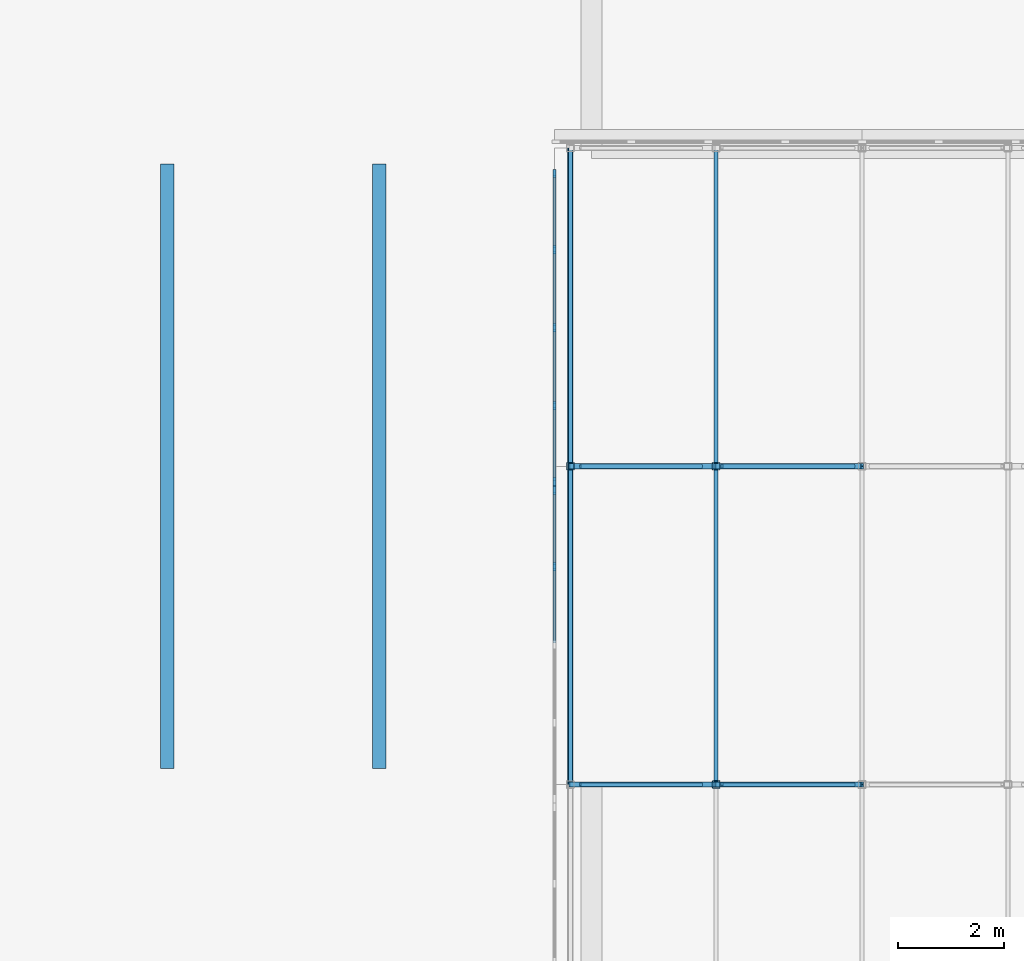
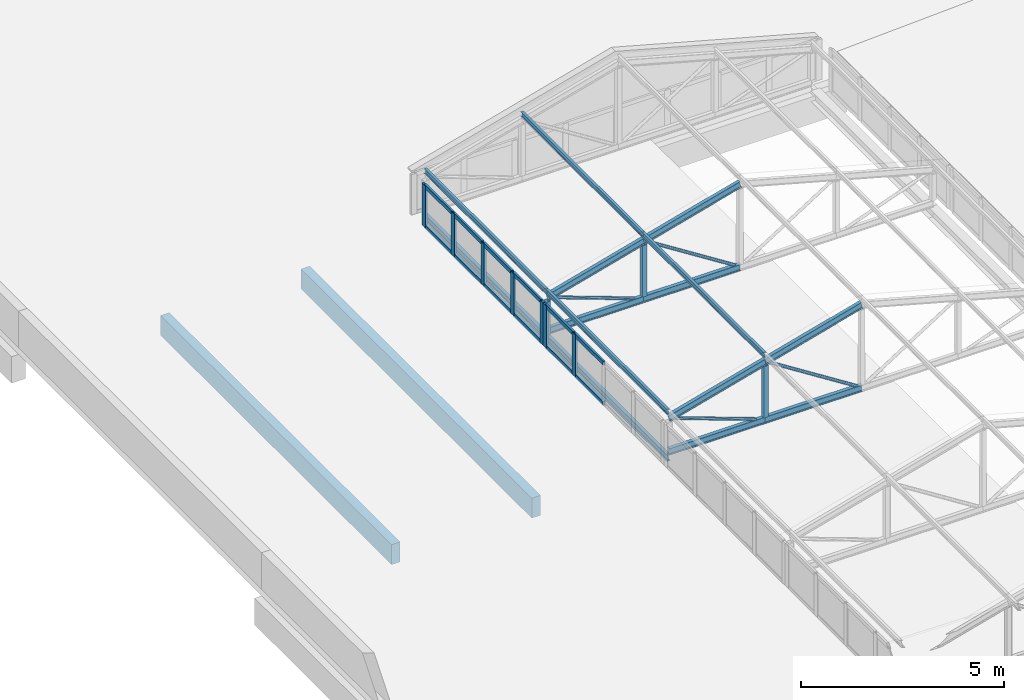
# One storey, part 57 of 94: 38 members, 3 beams, 2 elements without a shape of their own.
"""IFC4 building model written with IfcOpenShell, lengths in metres."""

from ifc_helpers import new_model, si_unit, direction, frame, origin, origin_2d, place, context, subcontext, project, spatial, rectangle, hollow_rectangle, hollow_circle, i_section, extrude, material, layer, layer_set, material_profile, profile_set, type_object, element, aggregate, save


model = new_model("IFC4")

# Units and contexts
model_context = context("Model", 3, precision=1e-05, world=origin(), true_north=direction((0.0, 1.0)))
body_context = subcontext(model_context, "Body", "Model", "MODEL_VIEW")
ifc_project = project(units=[si_unit("LENGTHUNIT", "METRE"), si_unit("AREAUNIT", "SQUARE_METRE"), si_unit("VOLUMEUNIT", "CUBIC_METRE"), si_unit("PLANEANGLEUNIT", "RADIAN"), si_unit("MASSUNIT", "GRAM", prefix="KILO")], contexts=[model_context])

# Site, building, storey
site_placement = place(None, origin())
site = spatial("IfcSite", under=ifc_project, at=site_placement, CompositionType="ELEMENT")
building_placement = place(site_placement, origin())
building = spatial("IfcBuilding", under=site, at=building_placement, Name="Lilac Gate Convention Centre", CompositionType="ELEMENT")
storey_placement = place(building_placement, frame((0.0, 0.0, 21.0)))
storey = spatial("IfcBuildingStorey", under=building, at=storey_placement, Name="L04", CompositionType="ELEMENT", Elevation=21.0)

# Curtain wall, members
ifc_material_1 = material(Name="Aluminium framed double glazing", Category="aluminium")
ifc_layer = layer(ifc_material_1, 0.199951171875)
ifc_layer_set = layer_set([ifc_layer], Name="Aluminium framed double glazing")
curtain_wall_type = type_object("IfcCurtainWallType", Name="Unitised curtain wall 1500", PredefinedType="NOTDEFINED", material=ifc_layer_set)
curtain_wall_1_placement = place(storey_placement, origin())
curtain_wall_1 = element("IfcCurtainWall", 1, at=curtain_wall_1_placement, inside=storey, type_object=curtain_wall_type, Name="Lantern clerestory W 31", PredefinedType="NOTDEFINED")
ifc_material_2 = material(Name="Aluminium alloy 6063", Category="aluminium")
ifc_material_profile_1 = material_profile(ifc_material_2, rectangle(XDim=0.06005859375, YDim=0.159912109375, at=origin_2d()), Name="Curtain wall mullion 60 x 160")
ifc_profile_set_1 = profile_set([ifc_material_profile_1], Name="Aluminium alloy 6063")
member_type_1 = type_object("IfcMemberType", Name="Curtain wall mullion 60 x 160", PredefinedType="MULLION", material=ifc_profile_set_1)
member_1_placement = place(storey_placement, frame((17.300048828125, 214.106201171875, 0.0), z_axis=(0.0, 0.0, 1.0), x_axis=(-1.0, 0.0, 0.0)))
member_1 = element("IfcMember", 2, at=member_1_placement, type_object=member_type_1, Name="CW mullion 4", PredefinedType="MULLION", context=body_context, shape_type="SweptSolid", body=[
    extrude(rectangle(XDim=0.06005859375, YDim=0.159912109375, at=origin_2d()), origin(), (0.0, 0.0, 1.0), 1.272216796875),
])
member_2_placement = place(storey_placement, frame((17.300048828125, 215.544921875, 0.0), z_axis=(0.0, 0.0, 1.0), x_axis=(-1.0, 0.0, 0.0)))
member_2 = element("IfcMember", 3, at=member_2_placement, type_object=member_type_1, Name="CW mullion 5", PredefinedType="MULLION", context=body_context, shape_type="SweptSolid", body=[
    extrude(rectangle(XDim=0.06005859375, YDim=0.159912109375, at=origin_2d()), origin(), (0.0, 0.0, 1.0), 1.272216796875),
])

curtain_wall_2_placement = place(storey_placement, origin())
curtain_wall_2 = element("IfcCurtainWall", 4, at=curtain_wall_2_placement, inside=storey, type_object=curtain_wall_type, Name="Lantern clerestory W 32", PredefinedType="NOTDEFINED")
member_3_placement = place(storey_placement, frame((17.300048828125, 215.705078125, 0.0), z_axis=(0.0, 0.0, 1.0), x_axis=(-1.0, 0.0, 0.0)))
member_3 = element("IfcMember", 5, at=member_3_placement, type_object=member_type_1, Name="CW mullion 1", PredefinedType="MULLION", context=body_context, shape_type="SweptSolid", body=[
    extrude(rectangle(XDim=0.06005859375, YDim=0.159912109375, at=origin_2d()), origin(), (0.0, 0.0, 1.0), 1.272216796875),
])
member_4_placement = place(storey_placement, frame((17.300048828125, 217.143798828125, 0.0), z_axis=(0.0, 0.0, 1.0), x_axis=(-1.0, 0.0, 0.0)))
member_4 = element("IfcMember", 6, at=member_4_placement, type_object=member_type_1, Name="CW mullion 2", PredefinedType="MULLION", context=body_context, shape_type="SweptSolid", body=[
    extrude(rectangle(XDim=0.06005859375, YDim=0.159912109375, at=origin_2d()), origin(), (0.0, 0.0, 1.0), 1.272216796875),
])
member_5_placement = place(storey_placement, frame((17.300048828125, 218.612548828125, 0.0), z_axis=(0.0, 0.0, 1.0), x_axis=(-1.0, 0.0, 0.0)))
member_5 = element("IfcMember", 7, at=member_5_placement, type_object=member_type_1, Name="CW mullion 3", PredefinedType="MULLION", context=body_context, shape_type="SweptSolid", body=[
    extrude(rectangle(XDim=0.06005859375, YDim=0.159912109375, at=origin_2d()), origin(), (0.0, 0.0, 1.0), 1.272216796875),
])
member_6_placement = place(storey_placement, frame((17.300048828125, 220.081298828125, 0.0), z_axis=(0.0, 0.0, 1.0), x_axis=(-1.0, 0.0, 0.0)))
member_6 = element("IfcMember", 8, at=member_6_placement, type_object=member_type_1, Name="CW mullion 4", PredefinedType="MULLION", context=body_context, shape_type="SweptSolid", body=[
    extrude(rectangle(XDim=0.06005859375, YDim=0.159912109375, at=origin_2d()), origin(), (0.0, 0.0, 1.0), 1.272216796875),
])
member_7_placement = place(storey_placement, frame((17.300048828125, 221.52001953125, 0.0), z_axis=(0.0, 0.0, 1.0), x_axis=(-1.0, 0.0, 0.0)))
member_7 = element("IfcMember", 9, at=member_7_placement, type_object=member_type_1, Name="CW mullion 5", PredefinedType="MULLION", context=body_context, shape_type="SweptSolid", body=[
    extrude(rectangle(XDim=0.06005859375, YDim=0.159912109375, at=origin_2d()), origin(), (0.0, 0.0, 1.0), 1.272216796875),
])

# Member
ifc_material_profile_2 = material_profile(ifc_material_2, rectangle(XDim=0.06005859375, YDim=0.1201171875, at=origin_2d()), Name="Curtain wall transom 60 x 120")
ifc_profile_set_2 = profile_set([ifc_material_profile_2], Name="Aluminium alloy 6063")
member_type_2 = type_object("IfcMemberType", Name="Curtain wall transom 60 x 120", PredefinedType="USERDEFINED", material=ifc_profile_set_2)
member_8_placement = place(storey_placement, frame((17.300048828125, 212.66748046875, 0.030029296875), z_axis=(0.0, 1.0, 0.0), x_axis=(-1.0, 0.0, 0.0)))
member_8 = element("IfcMember", 10, at=member_8_placement, type_object=member_type_2, Name="CW transom 3.1", ObjectType="TRANSOM", PredefinedType="USERDEFINED", context=body_context, shape_type="SweptSolid", body=[
    extrude(rectangle(XDim=0.06005859375, YDim=0.1201171875, at=origin_2d()), origin(), (0.0, 0.0, 1.0), 1.40869140625),
])

member_9_placement = place(storey_placement, frame((17.300048828125, 212.66748046875, 1.2421875), z_axis=(0.0, 1.0, 0.0), x_axis=(-1.0, 0.0, 0.0)))
member_9 = element("IfcMember", 11, at=member_9_placement, type_object=member_type_2, Name="CW transom 3.2", ObjectType="TRANSOM", PredefinedType="USERDEFINED", context=body_context, shape_type="SweptSolid", body=[
    extrude(rectangle(XDim=0.06005859375, YDim=0.1201171875, at=origin_2d()), origin(), (0.0, 0.0, 1.0), 1.40869140625),
])

member_10_placement = place(storey_placement, frame((17.300048828125, 214.13623046875, 0.030029296875), z_axis=(0.0, 1.0, 0.0), x_axis=(-1.0, 0.0, 0.0)))
member_10 = element("IfcMember", 12, at=member_10_placement, type_object=member_type_2, Name="CW transom 4.1", ObjectType="TRANSOM", PredefinedType="USERDEFINED", context=body_context, shape_type="SweptSolid", body=[
    extrude(rectangle(XDim=0.06005859375, YDim=0.1201171875, at=origin_2d()), origin(), (0.0, 0.0, 1.0), 1.378662109375),
])

member_11_placement = place(storey_placement, frame((17.300048828125, 214.13623046875, 1.2421875), z_axis=(0.0, 1.0, 0.0), x_axis=(-1.0, 0.0, 0.0)))
member_11 = element("IfcMember", 13, at=member_11_placement, type_object=member_type_2, Name="CW transom 4.2", ObjectType="TRANSOM", PredefinedType="USERDEFINED", context=body_context, shape_type="SweptSolid", body=[
    extrude(rectangle(XDim=0.06005859375, YDim=0.1201171875, at=origin_2d()), origin(), (0.0, 0.0, 1.0), 1.378662109375),
])

aggregate(curtain_wall_1, [member_1, member_2, member_8, member_9, member_10, member_11])

member_12_placement = place(storey_placement, frame((17.300048828125, 215.735107421875, 0.030029296875), z_axis=(0.0, 1.0, 0.0), x_axis=(-1.0, 0.0, 0.0)))
member_12 = element("IfcMember", 14, at=member_12_placement, type_object=member_type_2, Name="CW transom 1.1", ObjectType="TRANSOM", PredefinedType="USERDEFINED", context=body_context, shape_type="SweptSolid", body=[
    extrude(rectangle(XDim=0.06005859375, YDim=0.1201171875, at=origin_2d()), origin(), (0.0, 0.0, 1.0), 1.378662109375),
])

member_13_placement = place(storey_placement, frame((17.300048828125, 215.735107421875, 1.2421875), z_axis=(0.0, 1.0, 0.0), x_axis=(-1.0, 0.0, 0.0)))
member_13 = element("IfcMember", 15, at=member_13_placement, type_object=member_type_2, Name="CW transom 1.2", ObjectType="TRANSOM", PredefinedType="USERDEFINED", context=body_context, shape_type="SweptSolid", body=[
    extrude(rectangle(XDim=0.06005859375, YDim=0.1201171875, at=origin_2d()), origin(), (0.0, 0.0, 1.0), 1.378662109375),
])

member_14_placement = place(storey_placement, frame((17.300048828125, 217.173828125, 0.030029296875), z_axis=(0.0, 1.0, 0.0), x_axis=(-1.0, 0.0, 0.0)))
member_14 = element("IfcMember", 16, at=member_14_placement, type_object=member_type_2, Name="CW transom 2.1", ObjectType="TRANSOM", PredefinedType="USERDEFINED", context=body_context, shape_type="SweptSolid", body=[
    extrude(rectangle(XDim=0.06005859375, YDim=0.1201171875, at=origin_2d()), origin(), (0.0, 0.0, 1.0), 1.40869140625),
])

member_15_placement = place(storey_placement, frame((17.300048828125, 217.173828125, 1.2421875), z_axis=(0.0, 1.0, 0.0), x_axis=(-1.0, 0.0, 0.0)))
member_15 = element("IfcMember", 17, at=member_15_placement, type_object=member_type_2, Name="CW transom 2.2", ObjectType="TRANSOM", PredefinedType="USERDEFINED", context=body_context, shape_type="SweptSolid", body=[
    extrude(rectangle(XDim=0.06005859375, YDim=0.1201171875, at=origin_2d()), origin(), (0.0, 0.0, 1.0), 1.40869140625),
])

member_16_placement = place(storey_placement, frame((17.300048828125, 218.642578125, 0.030029296875), z_axis=(0.0, 1.0, 0.0), x_axis=(-1.0, 0.0, 0.0)))
member_16 = element("IfcMember", 18, at=member_16_placement, type_object=member_type_2, Name="CW transom 3.1", ObjectType="TRANSOM", PredefinedType="USERDEFINED", context=body_context, shape_type="SweptSolid", body=[
    extrude(rectangle(XDim=0.06005859375, YDim=0.1201171875, at=origin_2d()), origin(), (0.0, 0.0, 1.0), 1.40869140625),
])

member_17_placement = place(storey_placement, frame((17.300048828125, 218.642578125, 1.2421875), z_axis=(0.0, 1.0, 0.0), x_axis=(-1.0, 0.0, 0.0)))
member_17 = element("IfcMember", 19, at=member_17_placement, type_object=member_type_2, Name="CW transom 3.2", ObjectType="TRANSOM", PredefinedType="USERDEFINED", context=body_context, shape_type="SweptSolid", body=[
    extrude(rectangle(XDim=0.06005859375, YDim=0.1201171875, at=origin_2d()), origin(), (0.0, 0.0, 1.0), 1.40869140625),
])

member_18_placement = place(storey_placement, frame((17.300048828125, 220.111328125, 0.030029296875), z_axis=(0.0, 1.0, 0.0), x_axis=(-1.0, 0.0, 0.0)))
member_18 = element("IfcMember", 20, at=member_18_placement, type_object=member_type_2, Name="CW transom 4.1", ObjectType="TRANSOM", PredefinedType="USERDEFINED", context=body_context, shape_type="SweptSolid", body=[
    extrude(rectangle(XDim=0.06005859375, YDim=0.1201171875, at=origin_2d()), origin(), (0.0, 0.0, 1.0), 1.378662109375),
])

member_19_placement = place(storey_placement, frame((17.300048828125, 220.111328125, 1.2421875), z_axis=(0.0, 1.0, 0.0), x_axis=(-1.0, 0.0, 0.0)))
member_19 = element("IfcMember", 21, at=member_19_placement, type_object=member_type_2, Name="CW transom 4.2", ObjectType="TRANSOM", PredefinedType="USERDEFINED", context=body_context, shape_type="SweptSolid", body=[
    extrude(rectangle(XDim=0.06005859375, YDim=0.1201171875, at=origin_2d()), origin(), (0.0, 0.0, 1.0), 1.378662109375),
])

aggregate(curtain_wall_2, [member_3, member_4, member_5, member_6, member_7, member_12, member_13, member_14, member_15, member_16, member_17, member_18, member_19])

# Members
ifc_material_3 = material(Name="Steel Q355B", Category="steel")
ifc_material_profile_3 = material_profile(ifc_material_3, i_section(OverallWidth=0.10009765625, OverallDepth=0.199951171875, WebThickness=0.005615234375, FlangeThickness=0.008056640625, FilletRadius=0.008056640625, at=origin_2d()), Name="HN200x100x5.5x8")
ifc_profile_set_3 = profile_set([ifc_material_profile_3], Name="Steel Q355B")
member_type_3 = type_object("IfcMemberType", Name="Lantern bottom chord HN200x100x5.5x8", PredefinedType="CHORD", material=ifc_profile_set_3)
for number, where, z_axis, x_axis, name in (
    (22, (17.60009765625, 210.0, 0.10009765625), (1.0, 0.0, 0.0), (0.0, 1.0, 0.0), "LB1 lantern truss 31 bottom chord 1"),
    (23, (20.35009765625, 210.0, 0.10009765625), (1.0, 0.0, 0.0), (0.0, 1.0, 0.0), "LB1 lantern truss 31 bottom chord 2"),
    (24, (17.60009765625, 216.0, 0.10009765625), (1.0, 0.0, 0.0), (0.0, 1.0, 0.0), "LB1 lantern truss 32 bottom chord 1"),
    (25, (20.35009765625, 216.0, 0.10009765625), (1.0, 0.0, 0.0), (0.0, 1.0, 0.0), "LB1 lantern truss 32 bottom chord 2"),
):
    element("IfcMember", number, at=place(storey_placement, frame(where, z_axis=z_axis, x_axis=x_axis)), inside=storey, type_object=member_type_3, Name=name, PredefinedType="CHORD", context=body_context, shape_type="SweptSolid", body=[
        extrude(i_section(OverallWidth=0.10009765625, OverallDepth=0.199951171875, WebThickness=0.005615234375, FlangeThickness=0.008056640625, FilletRadius=0.008056640625, at=origin_2d()), origin(), (0.0, 0.0, 1.0), 2.75),
    ])
ifc_material_profile_4 = material_profile(ifc_material_3, hollow_circle(Radius=0.04443359375, WallThickness=0.0048828125, at=origin_2d()), Name="CHS88.9x5")
ifc_profile_set_4 = profile_set([ifc_material_profile_4], Name="Steel Q355B")
member_type_4 = type_object("IfcMemberType", Name="Lantern diagonal CHS88.9x5", PredefinedType="BRACE", material=ifc_profile_set_4)
member_20_placement = place(storey_placement, frame((17.789794921875, 210.0, 1.031005859375), z_axis=(0.939781696917, 0.0, -0.341775309434), x_axis=(0.0, 1.0, 0.0)))
element("IfcMember", 26, at=member_20_placement, inside=storey, type_object=member_type_4, Name="LW1 lantern truss 31 diagonal 1", PredefinedType="BRACE", context=body_context, shape_type="SweptSolid", body=[
    extrude(hollow_circle(Radius=0.04443359375, WallThickness=0.0048828125, at=origin_2d()), origin(), (0.0, 0.0, 1.0), 2.431640625),
])
member_21_placement = place(storey_placement, frame((20.45849609375, 210.0, 1.781005859375), z_axis=(0.843647832412, 0.0, -0.536896949951), x_axis=(0.0, 1.0, 0.0)))
element("IfcMember", 27, at=member_21_placement, inside=storey, type_object=member_type_4, Name="LW1 lantern truss 31 diagonal 2", PredefinedType="BRACE", context=body_context, shape_type="SweptSolid", body=[
    extrude(hollow_circle(Radius=0.04443359375, WallThickness=0.0048828125, at=origin_2d()), origin(), (0.0, 0.0, 1.0), 2.94482421875),
])
member_22_placement = place(storey_placement, frame((17.789794921875, 216.0, 1.031005859375), z_axis=(0.939781696917, 0.0, -0.341775309434), x_axis=(0.0, 1.0, 0.0)))
element("IfcMember", 28, at=member_22_placement, inside=storey, type_object=member_type_4, Name="LW1 lantern truss 32 diagonal 1", PredefinedType="BRACE", context=body_context, shape_type="SweptSolid", body=[
    extrude(hollow_circle(Radius=0.04443359375, WallThickness=0.0048828125, at=origin_2d()), origin(), (0.0, 0.0, 1.0), 2.431640625),
])
member_23_placement = place(storey_placement, frame((20.45849609375, 216.0, 1.781005859375), z_axis=(0.843647832412, 0.0, -0.536896949951), x_axis=(0.0, 1.0, 0.0)))
element("IfcMember", 29, at=member_23_placement, inside=storey, type_object=member_type_4, Name="LW1 lantern truss 32 diagonal 2", PredefinedType="BRACE", context=body_context, shape_type="SweptSolid", body=[
    extrude(hollow_circle(Radius=0.04443359375, WallThickness=0.0048828125, at=origin_2d()), origin(), (0.0, 0.0, 1.0), 2.94482421875),
])
ifc_material_profile_5 = material_profile(ifc_material_3, hollow_rectangle(XDim=0.139892578125, YDim=0.139892578125, WallThickness=0.0048828125, InnerFilletRadius=0.0048828125, OuterFilletRadius=0.010009765625, at=origin_2d()), Name="SHS140x140x5")
ifc_profile_set_5 = profile_set([ifc_material_profile_5], Name="Steel Q355B")
member_type_5 = type_object("IfcMemberType", Name="Lantern post SHS140x140x5", PredefinedType="STRUT", material=ifc_profile_set_5)
member_24_placement = place(storey_placement, frame((20.35009765625, 210.0, 0.199951171875), z_axis=(0.0, 0.0, 1.0), x_axis=(1.0, 0.0, 0.0)))
element("IfcMember", 30, at=member_24_placement, inside=storey, type_object=member_type_5, Name="LV1 lantern truss 31 post 2", PredefinedType="STRUT", context=body_context, shape_type="SweptSolid", body=[
    extrude(hollow_rectangle(XDim=0.139892578125, YDim=0.139892578125, WallThickness=0.0048828125, InnerFilletRadius=0.0048828125, OuterFilletRadius=0.010009765625, at=origin_2d()), origin(), (0.0, 0.0, 1.0), 1.546142578125),
])
member_25_placement = place(storey_placement, frame((17.60009765625, 216.0, 0.0), z_axis=(0.0, 0.0, 1.0), x_axis=(1.0, 0.0, 0.0)))
element("IfcMember", 31, at=member_25_placement, inside=storey, type_object=member_type_5, Name="LV1 lantern truss 32 post 1", PredefinedType="STRUT", context=body_context, shape_type="SweptSolid", body=[
    extrude(hollow_rectangle(XDim=0.139892578125, YDim=0.139892578125, WallThickness=0.0048828125, InnerFilletRadius=0.0048828125, OuterFilletRadius=0.010009765625, at=origin_2d()), origin(), (0.0, 0.0, 1.0), 1.001953125),
])
member_26_placement = place(storey_placement, frame((20.35009765625, 216.0, 0.199951171875), z_axis=(0.0, 0.0, 1.0), x_axis=(1.0, 0.0, 0.0)))
element("IfcMember", 32, at=member_26_placement, inside=storey, type_object=member_type_5, Name="LV1 lantern truss 32 post 2", PredefinedType="STRUT", context=body_context, shape_type="SweptSolid", body=[
    extrude(hollow_rectangle(XDim=0.139892578125, YDim=0.139892578125, WallThickness=0.0048828125, InnerFilletRadius=0.0048828125, OuterFilletRadius=0.010009765625, at=origin_2d()), origin(), (0.0, 0.0, 1.0), 1.546142578125),
])
ifc_material_profile_6 = material_profile(ifc_material_3, i_section(OverallWidth=0.074951171875, OverallDepth=0.14990234375, WebThickness=0.0048828125, FlangeThickness=0.007080078125, FilletRadius=0.008056640625, at=origin_2d()), Name="HN150x75x5x7")
ifc_profile_set_6 = profile_set([ifc_material_profile_6], Name="Steel Q355B")
member_type_6 = type_object("IfcMemberType", Name="Lantern purlin HN150x75x5x7", PredefinedType="PURLIN", material=ifc_profile_set_6)
for number, where, z_axis, x_axis, name in (
    (33, (17.60009765625, 210.0, 1.279052734375), (0.0, 1.0, 0.0), (-1.0, 0.0, 0.0), "LP1 lantern purlin bay 31 line 1"),
    (34, (17.60009765625, 216.0, 1.279052734375), (0.0, 1.0, 0.0), (-1.0, 0.0, 0.0), "LP1 lantern purlin bay 32 line 1"),
    (35, (20.35009765625, 210.0, 2.029052734375), (0.0, 1.0, 0.0), (-1.0, 0.0, 0.0), "LP1 lantern purlin bay 31 line 2"),
    (36, (20.35009765625, 216.0, 2.029052734375), (0.0, 1.0, 0.0), (-1.0, 0.0, 0.0), "LP1 lantern purlin bay 32 line 2"),
):
    element("IfcMember", number, at=place(storey_placement, frame(where, z_axis=z_axis, x_axis=x_axis)), inside=storey, type_object=member_type_6, Name=name, PredefinedType="PURLIN", context=body_context, shape_type="SweptSolid", body=[
        extrude(i_section(OverallWidth=0.074951171875, OverallDepth=0.14990234375, WebThickness=0.0048828125, FlangeThickness=0.007080078125, FilletRadius=0.008056640625, at=origin_2d()), origin(), (0.0, 0.0, 1.0), 6.0),
    ])
ifc_material_profile_7 = material_profile(ifc_material_3, i_section(OverallWidth=0.10009765625, OverallDepth=0.199951171875, WebThickness=0.005615234375, FlangeThickness=0.008056640625, FilletRadius=0.008056640625, at=origin_2d()), Name="HN200x100x5.5x8")
ifc_profile_set_7 = profile_set([ifc_material_profile_7], Name="Steel Q355B")
member_type_7 = type_object("IfcMemberType", Name="Lantern top chord HN200x100x5.5x8", PredefinedType="CHORD", material=ifc_profile_set_7)
for number, where, z_axis, x_axis, name in (
    (37, (17.60009765625, 210.0, 1.10009765625), (0.964763821238, 0.0, 0.263117405792), (0.0, 1.0, 0.0), "LT1 lantern truss 31 top chord 1"),
    (38, (20.35009765625, 210.0, 1.85009765625), (0.964763821238, 0.0, 0.263117405792), (0.0, 1.0, 0.0), "LT1 lantern truss 31 top chord 2"),
    (39, (17.60009765625, 216.0, 1.10009765625), (0.964763821238, 0.0, 0.263117405792), (0.0, 1.0, 0.0), "LT1 lantern truss 32 top chord 1"),
    (40, (20.35009765625, 216.0, 1.85009765625), (0.964763821238, 0.0, 0.263117405792), (0.0, 1.0, 0.0), "LT1 lantern truss 32 top chord 2"),
):
    element("IfcMember", number, at=place(storey_placement, frame(where, z_axis=z_axis, x_axis=x_axis)), inside=storey, type_object=member_type_7, Name=name, PredefinedType="CHORD", context=body_context, shape_type="SweptSolid", body=[
        extrude(i_section(OverallWidth=0.10009765625, OverallDepth=0.199951171875, WebThickness=0.005615234375, FlangeThickness=0.008056640625, FilletRadius=0.008056640625, at=origin_2d()), origin(), (0.0, 0.0, 1.0), 2.850341796875),
    ])

# Beams
ifc_material_profile_8 = material_profile(ifc_material_3, i_section(OverallWidth=0.10009765625, OverallDepth=0.199951171875, WebThickness=0.005615234375, FlangeThickness=0.008056640625, FilletRadius=0.008056640625, at=origin_2d()), Name="HN200x100x5.5x8")
ifc_profile_set_8 = profile_set([ifc_material_profile_8], Name="Steel Q355B")
beam_type_1 = type_object("IfcBeamType", Name="Steel edge beam HN200x100x5.5x8", PredefinedType="BEAM", material=ifc_profile_set_8)
beam_placement = place(storey_placement, frame((17.60009765625, 210.0, -0.10009765625), z_axis=(0.0, 1.0, 0.0), x_axis=(-1.0, 0.0, 0.0)))
element("IfcBeam", 41, at=beam_placement, inside=storey, type_object=beam_type_1, Name="LE2 lantern west edge beam 16", PredefinedType="BEAM", context=body_context, shape_type="SweptSolid", body=[
    extrude(i_section(OverallWidth=0.10009765625, OverallDepth=0.199951171875, WebThickness=0.005615234375, FlangeThickness=0.008056640625, FilletRadius=0.008056640625, at=origin_2d()), origin(), (0.0, 0.0, 1.0), 12.0),
])
ifc_material_4 = material(Name="Concrete C40", Category="concrete")
ifc_material_profile_9 = material_profile(ifc_material_4, rectangle(XDim=0.25, YDim=0.60009765625, at=origin_2d()), Name="RC 250x600")
ifc_profile_set_9 = profile_set([ifc_material_profile_9], Name="Concrete C40")
beam_type_2 = type_object("IfcBeamType", Name="Tower secondary beam 250x600 C40", PredefinedType="BEAM", material=ifc_profile_set_9)
for number, where, z_axis, x_axis, name in (
    (42, (10.0, 210.300048828125, -0.5), (0.0, 1.0, 0.0), (-1.0, 0.0, 0.0), "RB4 L04 bay 1/R"),
    (43, (14.0, 210.300048828125, -0.5), (0.0, 1.0, 0.0), (-1.0, 0.0, 0.0), "RB4 L04 bay 1/R"),
):
    element("IfcBeam", number, at=place(storey_placement, frame(where, z_axis=z_axis, x_axis=x_axis)), inside=storey, type_object=beam_type_2, Name=name, PredefinedType="BEAM", context=body_context, shape_type="SweptSolid", body=[
        extrude(rectangle(XDim=0.25, YDim=0.60009765625, at=origin_2d()), origin(), (0.0, 0.0, 1.0), 11.39990234375),
    ])

save(model, "model.ifc")
